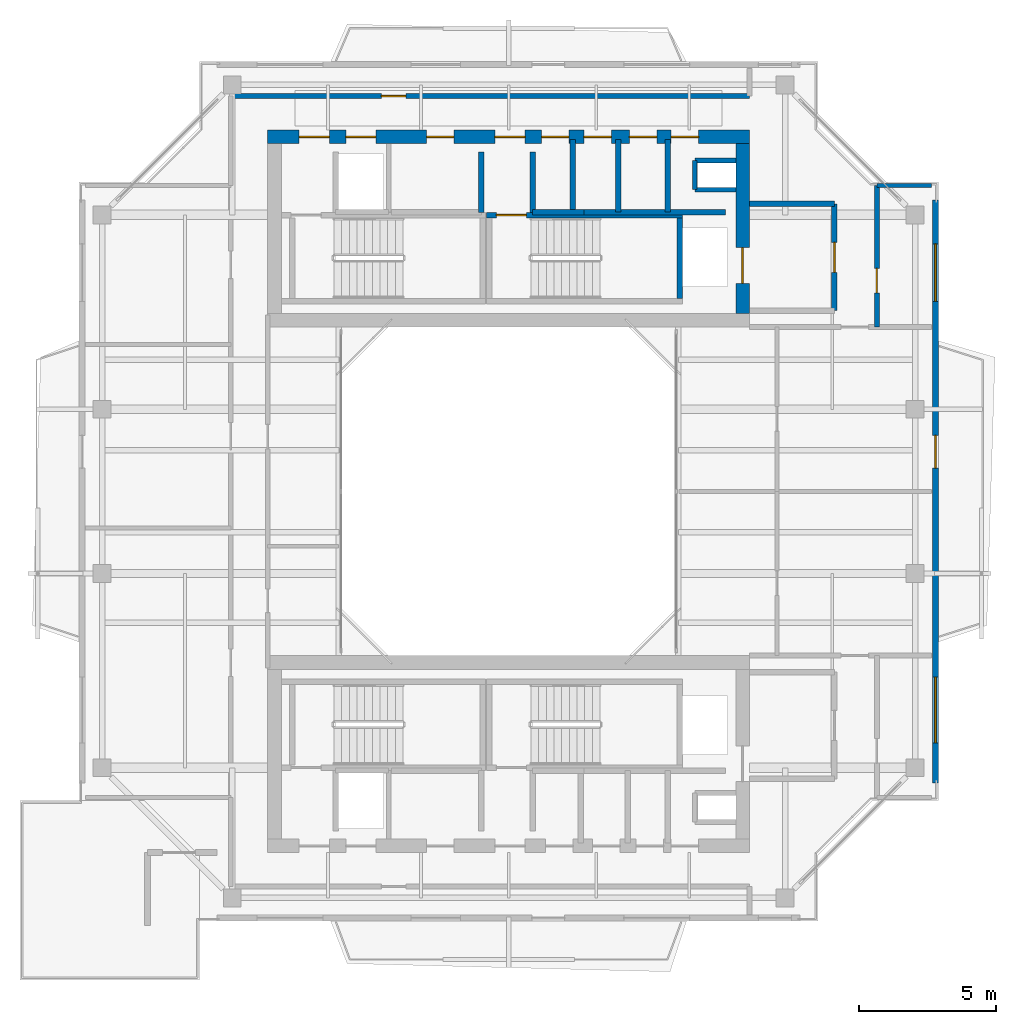
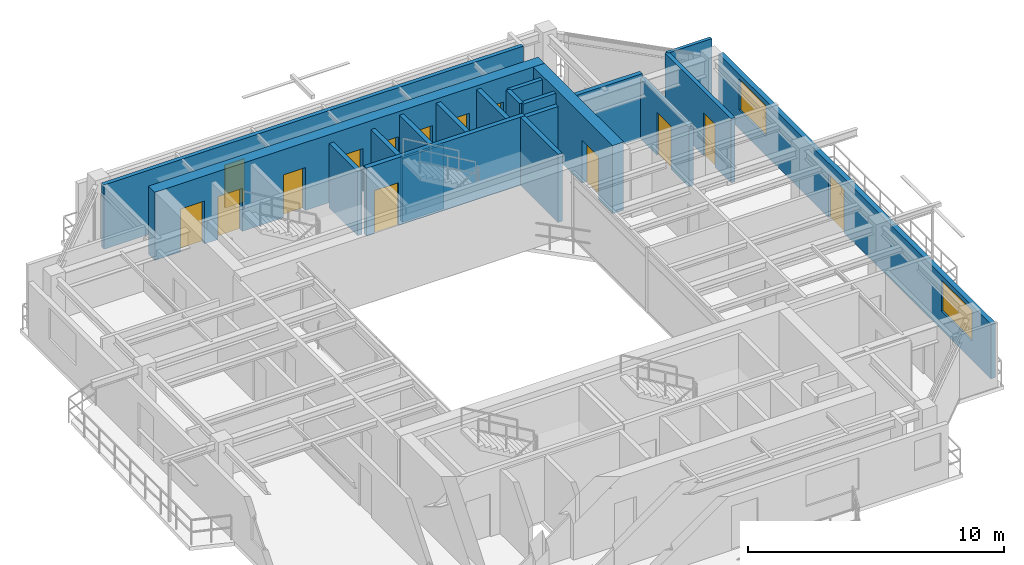
# One storey, part 10 of 14: 20 walls, 14 doors, 2 windows, 16 openings.
"""IFC4 building model written with IfcOpenShell, lengths in metres."""

from ifc_helpers import new_model, si_unit, direction, frame, frame_2d, origin, place, context, subcontext, project, spatial, rectangle, extrude, source, transform, mapped, material, layer, layer_set, type_object, element, fill, save


model = new_model("IFC4")

# Units and contexts
model_context = context("Model", 3, precision=1e-05, world=origin(), true_north=direction((0.0, 1.0)))
body_context = subcontext(model_context, "Body", "Model", "MODEL_VIEW")
ifc_project = project(units=[si_unit("LENGTHUNIT", "METRE"), si_unit("AREAUNIT", "SQUARE_METRE"), si_unit("VOLUMEUNIT", "CUBIC_METRE"), si_unit("PLANEANGLEUNIT", "RADIAN"), si_unit("MASSUNIT", "GRAM", prefix="KILO"), si_unit("THERMODYNAMICTEMPERATUREUNIT", "KELVIN"), si_unit("POWERUNIT", "WATT")], contexts=[model_context])

# Site, building, storey
site_placement = place(None, origin())
site = spatial("IfcSite", under=ifc_project, at=site_placement, CompositionType="ELEMENT")
building_placement = place(site_placement, origin())
building = spatial("IfcBuilding", under=site, at=building_placement, Name="Qiaomeng Ring Towers", CompositionType="ELEMENT")
storey_placement = place(building_placement, frame((0.0, 0.0, 243.75)))
storey = spatial("IfcBuildingStorey", under=building, at=storey_placement, Name="L71", CompositionType="ELEMENT", Elevation=243.75)

# Wall, openings, windows, door
ifc_material_1 = material(Name="Precast concrete C40", Category="concrete")
ifc_layer_1 = layer(ifc_material_1, 0.219970703125, Name="Precast concrete C40")
ifc_layer_set_1 = layer_set([ifc_layer_1], Name="Precast concrete C40")
wall_type_1 = type_object("IfcWallType", Name="ARC-WL-EW2", PredefinedType="STANDARD", material=ifc_layer_set_1)
wall_1_placement = place(storey_placement, frame((34.590087890625, 12.35009765625, 0.0), z_axis=(0.0, 0.0, 1.0), x_axis=(0.0, 1.0, 0.0)))
wall_1 = element("IfcWall", 1, at=wall_1_placement, inside=storey, type_object=wall_type_1, Name="L71 Tower 1 E Exterior Wall", PredefinedType="STANDARD", context=body_context, shape_type="SweptSolid", body=[
    extrude(rectangle(XDim=21.2998046875, YDim=0.219970703125, at=frame_2d((10.64990234375, 0.0))), origin(), (0.0, 0.0, 1.0), 2.610107421875),
])
opening_1_placement = place(wall_1_placement, frame((11.5, 0.0, 0.0)))
opening_1 = element("IfcOpeningElement", 2, at=opening_1_placement, cuts=wall_1, Name="Opening BD1", PredefinedType="OPENING", context=body_context, shape_type="SweptSolid", body=[
    extrude(rectangle(XDim=1.199951171875, YDim=2.10009765625, at=frame_2d((0.60009765625, 1.050048828125))), frame((0.0, 0.119873046875, 0.0), z_axis=(0.0, -1.0, 0.0), x_axis=(1.0, 0.0, 0.0)), (0.0, 0.0, 1.0), 0.239990234375),
])
opening_2_placement = place(wall_1_placement, frame((1.462890625, 0.0, 0.89990234375)))
opening_2 = element("IfcOpeningElement", 3, at=opening_2_placement, cuts=wall_1, Name="Opening WN6", PredefinedType="OPENING", context=body_context, shape_type="SweptSolid", body=[
    extrude(rectangle(XDim=2.39990234375, YDim=1.47998046875, at=frame_2d((1.199951171875, 0.739990234375))), frame((0.0, 0.119873046875, 0.0), z_axis=(0.0, -1.0, 0.0), x_axis=(1.0, 0.0, 0.0)), (0.0, 0.0, 1.0), 0.239990234375),
])
opening_3_placement = place(wall_1_placement, frame((17.587890625, 0.0, 0.89990234375)))
opening_3 = element("IfcOpeningElement", 4, at=opening_3_placement, cuts=wall_1, Name="Opening WN4", PredefinedType="OPENING", context=body_context, shape_type="SweptSolid", body=[
    extrude(rectangle(XDim=2.10009765625, YDim=1.47998046875, at=frame_2d((1.050048828125, 0.739990234375))), frame((0.0, 0.119873046875, 0.0), z_axis=(0.0, -1.0, 0.0), x_axis=(1.0, 0.0, 0.0)), (0.0, 0.0, 1.0), 0.239990234375),
])
ifc_material_2 = material(Name="Low-E dark-grey laminated double glazing", Category="glass")
window_type_1 = type_object("IfcWindowType", Name="ARC-WN-4", PartitioningType="TRIPLE_PANEL_VERTICAL", PredefinedType="WINDOW", material=ifc_material_2)
shared_shape_1 = source(origin(), body_context, "Body", "SweptSolid", [
    extrude(rectangle(XDim=2.10009765625, YDim=1.47998046875, at=frame_2d((1.050048828125, 0.739990234375))), frame((0.0, 0.030029296875, 0.0), z_axis=(0.0, -1.0, 0.0), x_axis=(1.0, 0.0, 0.0)), (0.0, 0.0, 1.0), 0.06005859375),
])
window_1_placement = place(opening_3_placement, origin())
window_1 = element("IfcWindow", 5, at=window_1_placement, inside=storey, type_object=window_type_1, Name="L71 Exterior Window WN4", OverallHeight=1.47998046875, OverallWidth=2.10009765625, PartitioningType="TRIPLE_PANEL_VERTICAL", PredefinedType="WINDOW", context=body_context, shape_type="MappedRepresentation", body=[
    mapped(shared_shape_1, transform((0.0, 0.0, 0.0), x_axis=(1.0, 0.0, 0.0), y_axis=(0.0, 1.0, 0.0), z_axis=(0.0, 0.0, 1.0), scale=1.0)),
])
fill(opening_3, window_1)
window_type_2 = type_object("IfcWindowType", Name="ARC-WN-6", PartitioningType="TRIPLE_PANEL_VERTICAL", PredefinedType="WINDOW", material=ifc_material_2)
shared_shape_2 = source(origin(), body_context, "Body", "SweptSolid", [
    extrude(rectangle(XDim=2.39990234375, YDim=1.47998046875, at=frame_2d((1.199951171875, 0.739990234375))), frame((0.0, 0.030029296875, 0.0), z_axis=(0.0, -1.0, 0.0), x_axis=(1.0, 0.0, 0.0)), (0.0, 0.0, 1.0), 0.06005859375),
])
window_2_placement = place(opening_2_placement, origin())
window_2 = element("IfcWindow", 6, at=window_2_placement, inside=storey, type_object=window_type_2, Name="L71 Exterior Window WN6", OverallHeight=1.47998046875, OverallWidth=2.39990234375, PartitioningType="TRIPLE_PANEL_VERTICAL", PredefinedType="WINDOW", context=body_context, shape_type="MappedRepresentation", body=[
    mapped(shared_shape_2, transform((0.0, 0.0, 0.0), x_axis=(1.0, 0.0, 0.0), y_axis=(0.0, 1.0, 0.0), z_axis=(0.0, 0.0, 1.0), scale=1.0)),
])
fill(opening_2, window_2)
door_type_1 = type_object("IfcDoorType", Name="ARC-DR-BD1", OperationType="NOTDEFINED", PredefinedType="DOOR", material=ifc_material_2)
shared_shape_3 = source(origin(), body_context, "Body", "SweptSolid", [
    extrude(rectangle(XDim=1.199951171875, YDim=2.10009765625, at=frame_2d((0.60009765625, 1.050048828125))), frame((0.0, 0.02490234375, 0.0), z_axis=(0.0, -1.0, 0.0), x_axis=(1.0, 0.0, 0.0)), (0.0, 0.0, 1.0), 0.050048828125),
])
door_1_placement = place(opening_1_placement, origin())
door_1 = element("IfcDoor", 7, at=door_1_placement, inside=storey, type_object=door_type_1, Name="L71 E Balcony Glazed Door", OperationType="SINGLE_SWING_LEFT", OverallHeight=2.10009765625, OverallWidth=1.199951171875, PredefinedType="DOOR", context=body_context, shape_type="MappedRepresentation", body=[
    mapped(shared_shape_3, transform((0.0, 0.0, 0.0), x_axis=(1.0, 0.0, 0.0), y_axis=(0.0, 1.0, 0.0), z_axis=(0.0, 0.0, 1.0), scale=1.0)),
])
fill(opening_1, door_1)

# Wall
ifc_material_3 = material(Name="Autoclaved aerated concrete block", Category="concrete")
ifc_layer_2 = layer(ifc_material_3, 0.199951171875, Name="Autoclaved aerated concrete block")
ifc_layer_set_2 = layer_set([ifc_layer_2], Name="Autoclaved aerated concrete block")
wall_type_2 = type_object("IfcWallType", Name="ARC-WL-PW1", PredefinedType="PARTITIONING", material=ifc_layer_set_2)
wall_2_placement = place(storey_placement, frame((27.800048828125, 33.5, 0.0), z_axis=(0.0, 0.0, 1.0), x_axis=(1.0, 0.0, 0.0)))
element("IfcWall", 8, at=wall_2_placement, inside=storey, type_object=wall_type_2, Name="L71 Interior Wall PW1", PredefinedType="PARTITIONING", context=body_context, shape_type="SweptSolid", body=[
    extrude(rectangle(XDim=3.099853515625, YDim=0.199951171875, at=frame_2d((1.5498046875, 0.0))), origin(), (0.0, 0.0, 1.0), 3.070068359375),
])

# Wall, opening, door
wall_3_placement = place(storey_placement, frame((30.89990234375, 29.60009765625, 0.0), z_axis=(0.0, 0.0, 1.0), x_axis=(0.0, 1.0, 0.0)))
wall_3 = element("IfcWall", 9, at=wall_3_placement, inside=storey, type_object=wall_type_2, Name="L71 Interior Wall PW1", PredefinedType="PARTITIONING", context=body_context, shape_type="SweptSolid", body=[
    extrude(rectangle(XDim=3.89990234375, YDim=0.199951171875, at=frame_2d((1.949951171875, 0.0))), origin(), (0.0, 0.0, 1.0), 2.864990234375),
])
opening_4_placement = place(wall_3_placement, frame((1.39990234375, 0.0, 0.0)))
opening_4 = element("IfcOpeningElement", 10, at=opening_4_placement, cuts=wall_3, Name="Opening FD3", PredefinedType="OPENING", context=body_context, shape_type="SweptSolid", body=[
    extrude(rectangle(XDim=1.10009765625, YDim=2.050048828125, at=frame_2d((0.550048828125, 1.02490234375))), frame((0.0, 0.10986328125, 0.0), z_axis=(0.0, -1.0, 0.0), x_axis=(1.0, 0.0, 0.0)), (0.0, 0.0, 1.0), 0.219970703125),
])
ifc_material_4 = material(Name="Galvanised steel", Category="steel")
door_type_2 = type_object("IfcDoorType", Name="ARC-DR-FD3", OperationType="NOTDEFINED", PredefinedType="DOOR", material=ifc_material_4)
shared_shape_4 = source(origin(), body_context, "Body", "SweptSolid", [
    extrude(rectangle(XDim=1.10009765625, YDim=2.050048828125, at=frame_2d((0.550048828125, 1.02490234375))), frame((0.0, 0.02490234375, 0.0), z_axis=(0.0, -1.0, 0.0), x_axis=(1.0, 0.0, 0.0)), (0.0, 0.0, 1.0), 0.050048828125),
])
door_2_placement = place(opening_4_placement, origin())
door_2 = element("IfcDoor", 11, at=door_2_placement, inside=storey, type_object=door_type_2, Name="L71 North FF Lobby Door", OperationType="SINGLE_SWING_RIGHT", OverallHeight=2.050048828125, OverallWidth=1.10009765625, PredefinedType="DOOR", context=body_context, shape_type="MappedRepresentation", body=[
    mapped(shared_shape_4, transform((0.0, 0.0, 0.0), x_axis=(1.0, 0.0, 0.0), y_axis=(0.0, 1.0, 0.0), z_axis=(0.0, 0.0, 1.0), scale=1.0)),
])
fill(opening_4, door_2)

# Walls
for number, where, z_axis, x_axis, name in (
    (12, (18.0, 33.18994140625, 0.0), (0.0, 0.0, 1.0), (0.0, 1.0, 0.0), "L71 Interior Wall PW1"),
    (13, (19.8798828125, 33.18994140625, 0.0), (0.0, 0.0, 1.0), (0.0, 1.0, 0.0), "L71 Interior Wall PW1"),
):
    element("IfcWall", number, at=place(storey_placement, frame(where, z_axis=z_axis, x_axis=x_axis)), inside=storey, type_object=wall_type_2, Name=name, PredefinedType="PARTITIONING", context=body_context, shape_type="SweptSolid", body=[
        extrude(rectangle(XDim=2.2099609375, YDim=0.199951171875, at=frame_2d((1.10498046875, 0.0))), origin(), (0.0, 0.0, 1.0), 3.070068359375),
    ])
wall_4_placement = place(storey_placement, frame((24.820068359375, 33.199951171875, 0.0), z_axis=(0.0, 0.0, 1.0), x_axis=(0.0, 1.0, 0.0)))
element("IfcWall", 14, at=wall_4_placement, inside=storey, type_object=wall_type_2, Name="L71 Interior Wall PW1", PredefinedType="PARTITIONING", context=body_context, shape_type="SweptSolid", body=[
    extrude(rectangle(XDim=2.650146484375, YDim=0.199951171875, at=frame_2d((1.3251953125, 0.0))), origin(), (0.0, 0.0, 1.0), 3.070068359375),
])
wall_5_placement = place(storey_placement, frame((19.8798828125, 33.199951171875, 0.0), z_axis=(0.0, 0.0, 1.0), x_axis=(1.0, 0.0, 0.0)))
element("IfcWall", 15, at=wall_5_placement, inside=storey, type_object=wall_type_2, Name="L71 Interior Wall PW1", PredefinedType="PARTITIONING", context=body_context, shape_type="SweptSolid", body=[
    extrude(rectangle(XDim=1.8701171875, YDim=0.199951171875, at=frame_2d((0.93505859375, 0.0))), origin(), (0.0, 0.0, 1.0), 3.070068359375),
])
for number, where, z_axis, x_axis, name in (
    (16, (21.340087890625, 33.199951171875, 0.0), (0.0, 0.0, 1.0), (0.0, 1.0, 0.0), "L71 Interior Wall PW1"),
    (17, (23.010009765625, 33.199951171875, 0.0), (0.0, 0.0, 1.0), (0.0, 1.0, 0.0), "L71 Interior Wall PW1"),
):
    element("IfcWall", number, at=place(storey_placement, frame(where, z_axis=z_axis, x_axis=x_axis)), inside=storey, type_object=wall_type_2, Name=name, PredefinedType="PARTITIONING", context=body_context, shape_type="SweptSolid", body=[
        extrude(rectangle(XDim=2.650146484375, YDim=0.199951171875, at=frame_2d((1.3251953125, 0.0))), origin(), (0.0, 0.0, 1.0), 3.070068359375),
    ])
wall_6_placement = place(storey_placement, frame((21.75, 33.199951171875, 0.0), z_axis=(0.0, 0.0, 1.0), x_axis=(1.0, 0.0, 0.0)))
element("IfcWall", 18, at=wall_6_placement, inside=storey, type_object=wall_type_2, Name="L71 Interior Wall PW1", PredefinedType="PARTITIONING", context=body_context, shape_type="SweptSolid", body=[
    extrude(rectangle(XDim=5.169921875, YDim=0.199951171875, at=frame_2d((2.5849609375, 0.0))), origin(), (0.0, 0.0, 1.0), 3.070068359375),
])

# Wall, opening, door
ifc_layer_3 = layer(ifc_material_3, 0.179931640625, Name="Autoclaved aerated concrete block")
ifc_layer_set_3 = layer_set([ifc_layer_3], Name="Autoclaved aerated concrete block")
wall_type_3 = type_object("IfcWallType", Name="ARC-WL-PW2", PredefinedType="PARTITIONING", material=ifc_layer_set_3)
wall_7_placement = place(storey_placement, frame((8.85009765625, 37.43994140625, 0.0), z_axis=(0.0, 0.0, 1.0), x_axis=(1.0, 0.0, 0.0)))
wall_7 = element("IfcWall", 19, at=wall_7_placement, inside=storey, type_object=wall_type_3, Name="L71 Interior Wall PW2", PredefinedType="PARTITIONING", context=body_context, shape_type="SweptSolid", body=[
    extrude(rectangle(XDim=18.949951171875, YDim=0.179931640625, at=frame_2d((9.47509765625, 0.0))), origin(), (0.0, 0.0, 1.0), 3.070068359375),
])
opening_5_placement = place(wall_7_placement, frame((5.5, 0.0, 0.0)))
opening_5 = element("IfcOpeningElement", 20, at=opening_5_placement, cuts=wall_7, Name="Opening ID1", PredefinedType="OPENING", context=body_context, shape_type="SweptSolid", body=[
    extrude(rectangle(XDim=0.89990234375, YDim=2.050048828125, at=frame_2d((0.449951171875, 1.02490234375))), frame((0.0, 0.099853515625, 0.0), z_axis=(0.0, -1.0, 0.0), x_axis=(1.0, 0.0, 0.0)), (0.0, 0.0, 1.0), 0.199951171875),
])
ifc_material_5 = material(Name="Engineered oak timber", Category="wood")
door_type_3 = type_object("IfcDoorType", Name="ARC-DR-ID1", OperationType="NOTDEFINED", PredefinedType="DOOR", material=ifc_material_5)
shared_shape_5 = source(origin(), body_context, "Body", "SweptSolid", [
    extrude(rectangle(XDim=0.89990234375, YDim=2.050048828125, at=frame_2d((0.449951171875, 1.02490234375))), frame((0.0, 0.02490234375, 0.0), z_axis=(0.0, -1.0, 0.0), x_axis=(1.0, 0.0, 0.0)), (0.0, 0.0, 1.0), 0.050048828125),
])
door_3_placement = place(opening_5_placement, origin())
door_3 = element("IfcDoor", 21, at=door_3_placement, inside=storey, type_object=door_type_3, Name="L71 Door ID1", OperationType="SINGLE_SWING_RIGHT", OverallHeight=2.050048828125, OverallWidth=0.89990234375, PredefinedType="DOOR", context=body_context, shape_type="MappedRepresentation", body=[
    mapped(shared_shape_5, transform((0.0, 0.0, 0.0), x_axis=(1.0, 0.0, 0.0), y_axis=(0.0, 1.0, 0.0), z_axis=(0.0, 0.0, 1.0), scale=1.0)),
])
fill(opening_5, door_3)

wall_8_placement = place(storey_placement, frame((32.449951171875, 29.0, 0.0), z_axis=(0.0, 0.0, 1.0), x_axis=(0.0, 1.0, 0.0)))
wall_8 = element("IfcWall", 22, at=wall_8_placement, inside=storey, type_object=wall_type_3, Name="L71 Interior Wall PW2", PredefinedType="PARTITIONING", context=body_context, shape_type="SweptSolid", body=[
    extrude(rectangle(XDim=5.179931640625, YDim=0.179931640625, at=frame_2d((2.58984375, 0.0))), origin(), (0.0, 0.0, 1.0), 3.070068359375),
])
opening_6_placement = place(wall_8_placement, frame((1.25, 0.0, 0.0)))
opening_6 = element("IfcOpeningElement", 23, at=opening_6_placement, cuts=wall_8, Name="Opening ID1", PredefinedType="OPENING", context=body_context, shape_type="SweptSolid", body=[
    extrude(rectangle(XDim=0.89990234375, YDim=2.050048828125, at=frame_2d((0.449951171875, 1.02490234375))), frame((0.0, 0.099853515625, 0.0), z_axis=(0.0, -1.0, 0.0), x_axis=(1.0, 0.0, 0.0)), (0.0, 0.0, 1.0), 0.199951171875),
])
door_4_placement = place(opening_6_placement, origin())
door_4 = element("IfcDoor", 24, at=door_4_placement, inside=storey, type_object=door_type_3, Name="L71 Door ID1", OperationType="SINGLE_SWING_LEFT", OverallHeight=2.050048828125, OverallWidth=0.89990234375, PredefinedType="DOOR", context=body_context, shape_type="MappedRepresentation", body=[
    mapped(shared_shape_5, transform((0.0, 0.0, 0.0), x_axis=(1.0, 0.0, 0.0), y_axis=(0.0, 1.0, 0.0), z_axis=(0.0, 0.0, 1.0), scale=1.0)),
])
fill(opening_6, door_4)

# Walls
ifc_material_6 = material(Name="Gypsum fireboard steel-stud partition", Category="steel")
ifc_layer_4 = layer(ifc_material_6, 0.14990234375, Name="Gypsum fireboard steel-stud partition")
ifc_layer_set_4 = layer_set([ifc_layer_4], Name="Gypsum fireboard steel-stud partition")
wall_type_4 = type_object("IfcWallType", Name="ARC-WL-PW3", PredefinedType="PARTITIONING", material=ifc_layer_set_4)
wall_9_placement = place(storey_placement, frame((32.449951171875, 34.179931640625, 0.0), z_axis=(0.0, 0.0, 1.0), x_axis=(1.0, 0.0, 0.0)))
element("IfcWall", 25, at=wall_9_placement, inside=storey, type_object=wall_type_4, Name="L71 Interior Wall PW3", PredefinedType="PARTITIONING", context=body_context, shape_type="SweptSolid", body=[
    extrude(rectangle(XDim=2.0, YDim=0.14990234375, at=frame_2d((1.0, 0.0))), origin(), (0.0, 0.0, 1.0), 3.070068359375),
])
ifc_material_7 = material(Name="Concrete C40", Category="concrete")
ifc_layer_5 = layer(ifc_material_7, 0.199951171875, Name="Concrete C40")
ifc_layer_set_5 = layer_set([ifc_layer_5], Name="Concrete C40")
wall_type_5 = type_object("IfcWallType", Name="STR-WL-STSHAFT", PredefinedType="SHEAR", material=ifc_layer_set_5)
wall_10_placement = place(storey_placement, frame((25.800048828125, 34.02001953125, 0.0), z_axis=(0.0, 0.0, 1.0), x_axis=(0.0, 1.0, 0.0)))
element("IfcWall", 26, at=wall_10_placement, inside=storey, type_object=wall_type_5, Name="L71 Riser RSR1 West Shaft Wall N", PredefinedType="SHEAR", context=body_context, shape_type="SweptSolid", body=[
    extrude(rectangle(XDim=1.06005859375, YDim=0.179931640625, at=frame_2d((0.530029296875, 0.0))), origin(), (0.0, 0.0, 1.0), 3.070068359375),
])
for number, where, z_axis, x_axis, name in (
    (27, (25.800048828125, 35.080078125, 0.0), (0.0, 0.0, 1.0), (1.0, 0.0, 0.0), "L71 Riser RSR1 North Shaft Wall N"),
    (28, (25.800048828125, 34.02001953125, 0.0), (0.0, 0.0, 1.0), (1.0, 0.0, 0.0), "L71 Riser RSR1 South Shaft Wall N"),
):
    element("IfcWall", number, at=place(storey_placement, frame(where, z_axis=z_axis, x_axis=x_axis)), inside=storey, type_object=wall_type_5, Name=name, PredefinedType="SHEAR", context=body_context, shape_type="SweptSolid", body=[
        extrude(rectangle(XDim=1.5, YDim=0.179931640625, at=frame_2d((0.75, 0.0))), origin(), (0.0, 0.0, 1.0), 3.070068359375),
    ])

# Wall, opening, door
wall_11_placement = place(storey_placement, frame((18.199951171875, 33.090087890625, 0.0), z_axis=(0.0, 0.0, 1.0), x_axis=(1.0, 0.0, 0.0)))
wall_11 = element("IfcWall", 29, at=wall_11_placement, inside=storey, type_object=wall_type_5, Name="L71 Stair ST2 North Shaft Shear Wall", PredefinedType="SHEAR", context=body_context, shape_type="SweptSolid", body=[
    extrude(rectangle(XDim=7.150146484375, YDim=0.199951171875, at=frame_2d((3.5751953125, 0.0))), origin(), (0.0, 0.0, 1.0), 3.25),
])
opening_7_placement = place(wall_11_placement, frame((0.35009765625, 0.0, 0.0)))
opening_7 = element("IfcOpeningElement", 30, at=opening_7_placement, cuts=wall_11, Name="Opening FD3", PredefinedType="OPENING", context=body_context, shape_type="SweptSolid", body=[
    extrude(rectangle(XDim=1.10009765625, YDim=2.050048828125, at=frame_2d((0.550048828125, 1.02490234375))), frame((0.0, 0.10986328125, 0.0), z_axis=(0.0, -1.0, 0.0), x_axis=(1.0, 0.0, 0.0)), (0.0, 0.0, 1.0), 0.219970703125),
])
door_5_placement = place(opening_7_placement, origin())
door_5 = element("IfcDoor", 31, at=door_5_placement, inside=storey, type_object=door_type_2, Name="L71 Stair ST2 Exit Door", OperationType="SINGLE_SWING_LEFT", OverallHeight=2.050048828125, OverallWidth=1.10009765625, PredefinedType="DOOR", context=body_context, shape_type="MappedRepresentation", body=[
    mapped(shared_shape_4, transform((0.0, 0.0, 0.0), x_axis=(1.0, 0.0, 0.0), y_axis=(0.0, 1.0, 0.0), z_axis=(0.0, 0.0, 1.0), scale=1.0)),
])
fill(opening_7, door_5)

# Wall
wall_12_placement = place(storey_placement, frame((25.25, 30.050048828125, 0.0), z_axis=(0.0, 0.0, 1.0), x_axis=(0.0, 1.0, 0.0)))
element("IfcWall", 32, at=wall_12_placement, inside=storey, type_object=wall_type_5, Name="L71 Stair ST2 East Shaft Shear Wall", PredefinedType="SHEAR", context=body_context, shape_type="SweptSolid", body=[
    extrude(rectangle(XDim=2.93994140625, YDim=0.199951171875, at=frame_2d((1.469970703125, 0.0))), origin(), (0.0, 0.0, 1.0), 3.25),
])

# Wall, openings, doors
ifc_layer_6 = layer(ifc_material_7, 0.5, Name="Concrete C40")
ifc_layer_set_6 = layer_set([ifc_layer_6], Name="Concrete C40")
wall_type_6 = type_object("IfcWallType", Name="STR-WL-SW3", PredefinedType="SHEAR", material=ifc_layer_set_6)
wall_13_placement = place(storey_placement, frame((10.199951171875, 35.949951171875, 0.0), z_axis=(0.0, 0.0, 1.0), x_axis=(1.0, 0.0, 0.0)))
wall_13 = element("IfcWall", 33, at=wall_13_placement, inside=storey, type_object=wall_type_6, Name="L71 T1NC north core shear wall", PredefinedType="SHEAR", context=body_context, shape_type="SweptSolid", body=[
    extrude(rectangle(XDim=17.60009765625, YDim=0.5, at=frame_2d((8.800048828125, 0.0))), origin(), (0.0, 0.0, 1.0), 3.25),
])
opening_8_placement = place(wall_13_placement, frame((1.14990234375, 0.0, 0.0)))
opening_8 = element("IfcOpeningElement", 34, at=opening_8_placement, cuts=wall_13, Name="Opening FD3", PredefinedType="OPENING", context=body_context, shape_type="SweptSolid", body=[
    extrude(rectangle(XDim=1.10009765625, YDim=2.050048828125, at=frame_2d((0.550048828125, 1.02490234375))), frame((0.0, 0.260009765625, 0.0), z_axis=(0.0, -1.0, 0.0), x_axis=(1.0, 0.0, 0.0)), (0.0, 0.0, 1.0), 0.52001953125),
])
opening_9_placement = place(wall_13_placement, frame((8.300048828125, 0.0, 0.0)))
opening_9 = element("IfcOpeningElement", 35, at=opening_9_placement, cuts=wall_13, Name="Opening FD3", PredefinedType="OPENING", context=body_context, shape_type="SweptSolid", body=[
    extrude(rectangle(XDim=1.10009765625, YDim=2.050048828125, at=frame_2d((0.550048828125, 1.02490234375))), frame((0.0, 0.260009765625, 0.0), z_axis=(0.0, -1.0, 0.0), x_axis=(1.0, 0.0, 0.0)), (0.0, 0.0, 1.0), 0.52001953125),
])
opening_10_placement = place(wall_13_placement, frame((2.85009765625, 0.0, 0.0)))
opening_10 = element("IfcOpeningElement", 36, at=opening_10_placement, cuts=wall_13, Name="Opening LD1", PredefinedType="OPENING", context=body_context, shape_type="SweptSolid", body=[
    extrude(rectangle(XDim=1.10009765625, YDim=2.050048828125, at=frame_2d((0.550048828125, 1.02490234375))), frame((0.0, 0.260009765625, 0.0), z_axis=(0.0, -1.0, 0.0), x_axis=(1.0, 0.0, 0.0)), (0.0, 0.0, 1.0), 0.52001953125),
])
opening_11_placement = place(wall_13_placement, frame((5.800048828125, 0.0, 0.0)))
opening_11 = element("IfcOpeningElement", 37, at=opening_11_placement, cuts=wall_13, Name="Opening FD1", PredefinedType="OPENING", context=body_context, shape_type="SweptSolid", body=[
    extrude(rectangle(XDim=1.0, YDim=2.050048828125, at=frame_2d((0.5, 1.02490234375))), frame((0.0, 0.260009765625, 0.0), z_axis=(0.0, -1.0, 0.0), x_axis=(1.0, 0.0, 0.0)), (0.0, 0.0, 1.0), 0.52001953125),
])
opening_12_placement = place(wall_13_placement, frame((14.739990234375, 0.0, 0.0)))
opening_12 = element("IfcOpeningElement", 38, at=opening_12_placement, cuts=wall_13, Name="Opening FD1", PredefinedType="OPENING", context=body_context, shape_type="SweptSolid", body=[
    extrude(rectangle(XDim=1.0, YDim=2.050048828125, at=frame_2d((0.5, 1.02490234375))), frame((0.0, 0.260009765625, 0.0), z_axis=(0.0, -1.0, 0.0), x_axis=(1.0, 0.0, 0.0)), (0.0, 0.0, 1.0), 0.52001953125),
])
opening_13_placement = place(wall_13_placement, frame((10.0048828125, 0.0, 0.0)))
opening_13 = element("IfcOpeningElement", 39, at=opening_13_placement, cuts=wall_13, Name="Opening FD1", PredefinedType="OPENING", context=body_context, shape_type="SweptSolid", body=[
    extrude(rectangle(XDim=1.0, YDim=2.050048828125, at=frame_2d((0.5, 1.02490234375))), frame((0.0, 0.260009765625, 0.0), z_axis=(0.0, -1.0, 0.0), x_axis=(1.0, 0.0, 0.0)), (0.0, 0.0, 1.0), 0.52001953125),
])
opening_14_placement = place(wall_13_placement, frame((11.550048828125, 0.0, 0.0)))
opening_14 = element("IfcOpeningElement", 40, at=opening_14_placement, cuts=wall_13, Name="Opening FD1", PredefinedType="OPENING", context=body_context, shape_type="SweptSolid", body=[
    extrude(rectangle(XDim=1.0, YDim=2.050048828125, at=frame_2d((0.5, 1.02490234375))), frame((0.0, 0.260009765625, 0.0), z_axis=(0.0, -1.0, 0.0), x_axis=(1.0, 0.0, 0.0)), (0.0, 0.0, 1.0), 0.52001953125),
])
opening_15_placement = place(wall_13_placement, frame((13.215087890625, 0.0, 0.0)))
opening_15 = element("IfcOpeningElement", 41, at=opening_15_placement, cuts=wall_13, Name="Opening FD1", PredefinedType="OPENING", context=body_context, shape_type="SweptSolid", body=[
    extrude(rectangle(XDim=1.0, YDim=2.050048828125, at=frame_2d((0.5, 1.02490234375))), frame((0.0, 0.260009765625, 0.0), z_axis=(0.0, -1.0, 0.0), x_axis=(1.0, 0.0, 0.0)), (0.0, 0.0, 1.0), 0.52001953125),
])
door_6_placement = place(opening_8_placement, origin())
door_6 = element("IfcDoor", 42, at=door_6_placement, inside=storey, type_object=door_type_2, Name="L71 Stair ST1 Lobby Door", OperationType="SINGLE_SWING_RIGHT", OverallHeight=2.050048828125, OverallWidth=1.10009765625, PredefinedType="DOOR", context=body_context, shape_type="MappedRepresentation", body=[
    mapped(shared_shape_4, transform((0.0, 0.0, 0.0), x_axis=(1.0, 0.0, 0.0), y_axis=(0.0, 1.0, 0.0), z_axis=(0.0, 0.0, 1.0), scale=1.0)),
])
fill(opening_8, door_6)
door_7_placement = place(opening_9_placement, origin())
door_7 = element("IfcDoor", 43, at=door_7_placement, inside=storey, type_object=door_type_2, Name="L71 Stair ST2 Lobby Door", OperationType="SINGLE_SWING_RIGHT", OverallHeight=2.050048828125, OverallWidth=1.10009765625, PredefinedType="DOOR", context=body_context, shape_type="MappedRepresentation", body=[
    mapped(shared_shape_4, transform((0.0, 0.0, 0.0), x_axis=(1.0, 0.0, 0.0), y_axis=(0.0, 1.0, 0.0), z_axis=(0.0, 0.0, 1.0), scale=1.0)),
])
fill(opening_9, door_7)
ifc_material_8 = material(Name="Stainless steel 316", Category="steel")
door_type_4 = type_object("IfcDoorType", Name="ARC-DR-LD1", OperationType="NOTDEFINED", PredefinedType="DOOR", material=ifc_material_8)
door_8_placement = place(opening_10_placement, origin())
door_8 = element("IfcDoor", 44, at=door_8_placement, inside=storey, type_object=door_type_4, Name="L71 High-Zone Lift LP5 Landing Door", OperationType="SLIDING_TO_LEFT", OverallHeight=2.050048828125, OverallWidth=1.10009765625, PredefinedType="DOOR", context=body_context, shape_type="MappedRepresentation", body=[
    mapped(shared_shape_4, transform((0.0, 0.0, 0.0), x_axis=(1.0, 0.0, 0.0), y_axis=(0.0, 1.0, 0.0), z_axis=(0.0, 0.0, 1.0), scale=1.0)),
])
fill(opening_10, door_8)
door_type_5 = type_object("IfcDoorType", Name="ARC-DR-FD1", OperationType="NOTDEFINED", PredefinedType="DOOR", material=ifc_material_4)
shared_shape_6 = source(origin(), body_context, "Body", "SweptSolid", [
    extrude(rectangle(XDim=1.0, YDim=2.050048828125, at=frame_2d((0.5, 1.02490234375))), frame((0.0, 0.02490234375, 0.0), z_axis=(0.0, -1.0, 0.0), x_axis=(1.0, 0.0, 0.0)), (0.0, 0.0, 1.0), 0.050048828125),
])
door_9_placement = place(opening_11_placement, origin())
door_9 = element("IfcDoor", 45, at=door_9_placement, inside=storey, type_object=door_type_5, Name="L71 High-Zone Facilities Office Door", OperationType="SINGLE_SWING_RIGHT", OverallHeight=2.050048828125, OverallWidth=1.0, PredefinedType="DOOR", context=body_context, shape_type="MappedRepresentation", body=[
    mapped(shared_shape_6, transform((0.0, 0.0, 0.0), x_axis=(1.0, 0.0, 0.0), y_axis=(0.0, 1.0, 0.0), z_axis=(0.0, 0.0, 1.0), scale=1.0)),
])
fill(opening_11, door_9)
door_10_placement = place(opening_12_placement, origin())
door_10 = element("IfcDoor", 46, at=door_10_placement, inside=storey, type_object=door_type_5, Name="L71 North Electrical Riser Door", OperationType="SINGLE_SWING_RIGHT", OverallHeight=2.050048828125, OverallWidth=1.0, PredefinedType="DOOR", context=body_context, shape_type="MappedRepresentation", body=[
    mapped(shared_shape_6, transform((0.0, 0.0, 0.0), x_axis=(1.0, 0.0, 0.0), y_axis=(0.0, 1.0, 0.0), z_axis=(0.0, 0.0, 1.0), scale=1.0)),
])
fill(opening_12, door_10)
door_11_placement = place(opening_13_placement, origin())
door_11 = element("IfcDoor", 47, at=door_11_placement, inside=storey, type_object=door_type_5, Name="L71 North Cleaners Cupboard Door", OperationType="SINGLE_SWING_RIGHT", OverallHeight=2.050048828125, OverallWidth=1.0, PredefinedType="DOOR", context=body_context, shape_type="MappedRepresentation", body=[
    mapped(shared_shape_6, transform((0.0, 0.0, 0.0), x_axis=(1.0, 0.0, 0.0), y_axis=(0.0, 1.0, 0.0), z_axis=(0.0, 0.0, 1.0), scale=1.0)),
])
fill(opening_13, door_11)
door_12_placement = place(opening_14_placement, origin())
door_12 = element("IfcDoor", 48, at=door_12_placement, inside=storey, type_object=door_type_5, Name="L71 North Staff Tea Pantry Door", OperationType="SINGLE_SWING_LEFT", OverallHeight=2.050048828125, OverallWidth=1.0, PredefinedType="DOOR", context=body_context, shape_type="MappedRepresentation", body=[
    mapped(shared_shape_6, transform((0.0, 0.0, 0.0), x_axis=(1.0, 0.0, 0.0), y_axis=(0.0, 1.0, 0.0), z_axis=(0.0, 0.0, 1.0), scale=1.0)),
])
fill(opening_14, door_12)
door_13_placement = place(opening_15_placement, origin())
door_13 = element("IfcDoor", 49, at=door_13_placement, inside=storey, type_object=door_type_5, Name="L71 North Records Study Door", OperationType="SINGLE_SWING_RIGHT", OverallHeight=2.050048828125, OverallWidth=1.0, PredefinedType="DOOR", context=body_context, shape_type="MappedRepresentation", body=[
    mapped(shared_shape_6, transform((0.0, 0.0, 0.0), x_axis=(1.0, 0.0, 0.0), y_axis=(0.0, 1.0, 0.0), z_axis=(0.0, 0.0, 1.0), scale=1.0)),
])
fill(opening_15, door_13)

# Wall, opening, door
wall_14_placement = place(storey_placement, frame((27.550048828125, 29.5, 0.0), z_axis=(0.0, 0.0, 1.0), x_axis=(0.0, 1.0, 0.0)))
wall_14 = element("IfcWall", 50, at=wall_14_placement, inside=storey, type_object=wall_type_6, Name="L71 T1NC east core shear wall", PredefinedType="SHEAR", context=body_context, shape_type="SweptSolid", body=[
    extrude(rectangle(XDim=6.199951171875, YDim=0.5, at=frame_2d((3.10009765625, 0.0))), origin(), (0.0, 0.0, 1.0), 3.25),
])
opening_16_placement = place(wall_14_placement, frame((1.10009765625, 0.0, 0.0)))
opening_16 = element("IfcOpeningElement", 51, at=opening_16_placement, cuts=wall_14, Name="Opening LD2", PredefinedType="OPENING", context=body_context, shape_type="SweptSolid", body=[
    extrude(rectangle(XDim=1.300048828125, YDim=2.050048828125, at=frame_2d((0.64990234375, 1.02490234375))), frame((0.0, 0.260009765625, 0.0), z_axis=(0.0, -1.0, 0.0), x_axis=(1.0, 0.0, 0.0)), (0.0, 0.0, 1.0), 0.52001953125),
])
door_type_6 = type_object("IfcDoorType", Name="ARC-DR-LD2", OperationType="NOTDEFINED", PredefinedType="DOOR", material=ifc_material_8)
shared_shape_7 = source(origin(), body_context, "Body", "SweptSolid", [
    extrude(rectangle(XDim=1.300048828125, YDim=2.050048828125, at=frame_2d((0.64990234375, 1.02490234375))), frame((0.0, 0.02490234375, 0.0), z_axis=(0.0, -1.0, 0.0), x_axis=(1.0, 0.0, 0.0)), (0.0, 0.0, 1.0), 0.050048828125),
])
door_14_placement = place(opening_16_placement, origin())
door_14 = element("IfcDoor", 52, at=door_14_placement, inside=storey, type_object=door_type_6, Name="L71 Firefighting Lift FL1 Landing Door", OperationType="SLIDING_TO_LEFT", OverallHeight=2.050048828125, OverallWidth=1.300048828125, PredefinedType="DOOR", context=body_context, shape_type="MappedRepresentation", body=[
    mapped(shared_shape_7, transform((0.0, 0.0, 0.0), x_axis=(1.0, 0.0, 0.0), y_axis=(0.0, 1.0, 0.0), z_axis=(0.0, 0.0, 1.0), scale=1.0)),
])
fill(opening_16, door_14)

save(model, "model.ifc")
